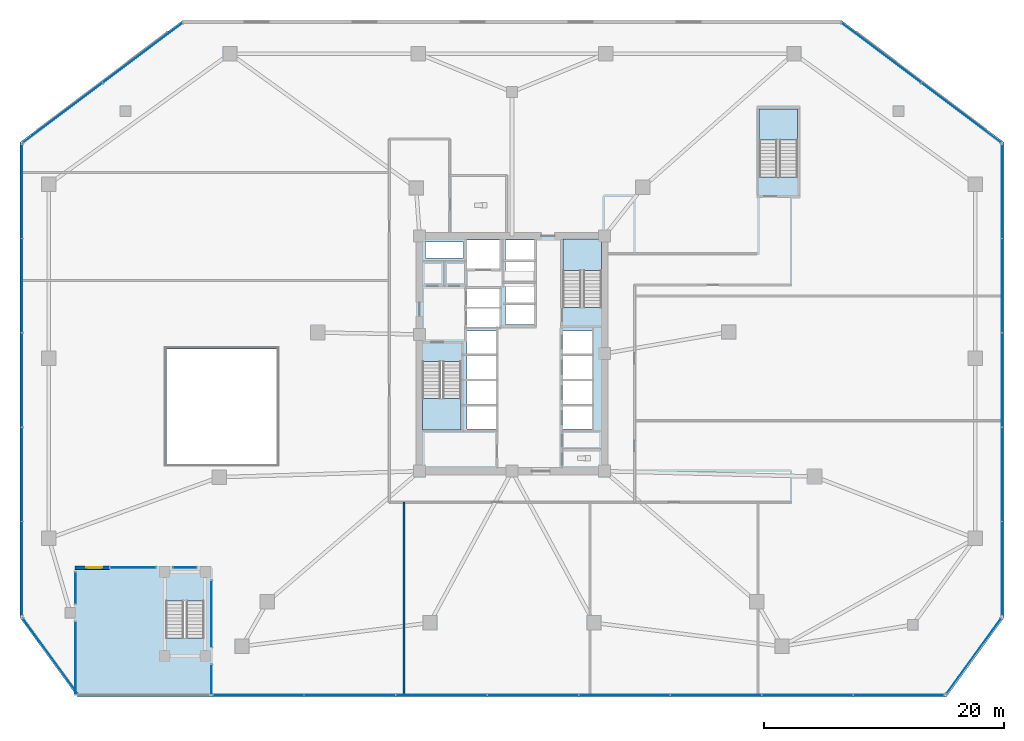
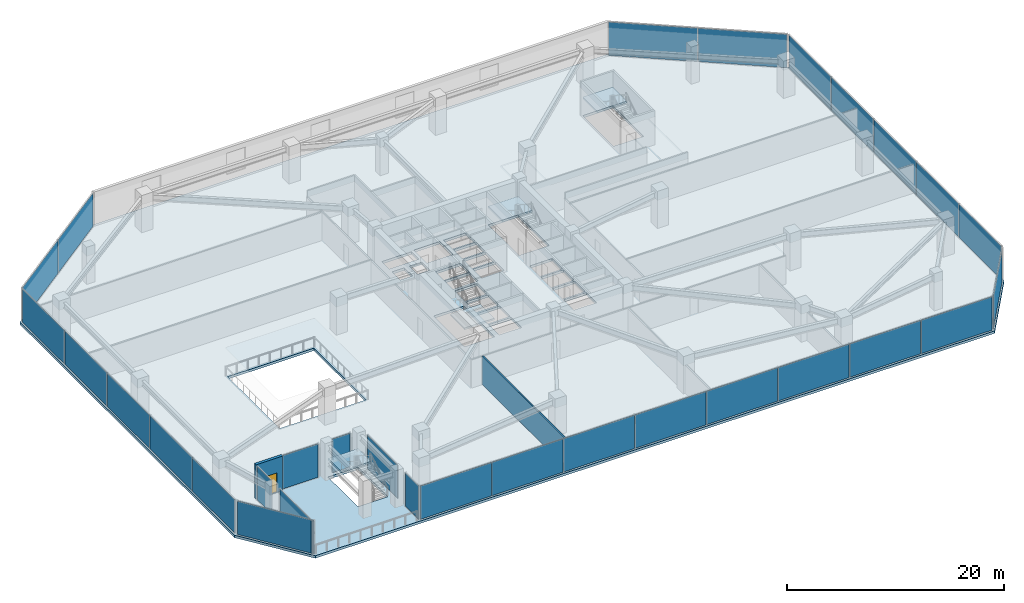
# One storey, part 10 of 22: 30 plates, 5 slabs, 2 walls, 1 door, 1 opening, 17 elements without a shape of their own.
"""IFC4 building model written with IfcOpenShell, lengths in metres."""

from ifc_helpers import new_model, si_unit, direction, frame, frame_2d, origin, origin_2d, place, context, subcontext, project, spatial, polyline, rectangle, outline, extrude, material, layer, layer_set, type_object, element, fill, aggregate, save


model = new_model("IFC4")

# Units and contexts
model_context = context("Model", 3, precision=1e-05, world=origin(), true_north=direction((0.0, 1.0)))
body_context = subcontext(model_context, "Body", "Model", "MODEL_VIEW")
ifc_project = project(units=[si_unit("LENGTHUNIT", "METRE"), si_unit("AREAUNIT", "SQUARE_METRE"), si_unit("VOLUMEUNIT", "CUBIC_METRE"), si_unit("PLANEANGLEUNIT", "RADIAN"), si_unit("MASSUNIT", "GRAM", prefix="KILO")], contexts=[model_context])

# Site, building, storey
site_placement = place(None, origin())
site = spatial("IfcSite", under=ifc_project, at=site_placement, CompositionType="ELEMENT")
building_placement = place(site_placement, origin())
building = spatial("IfcBuilding", under=site, at=building_placement, Name="Savorim Split Tower", CompositionType="ELEMENT")
storey_placement = place(building_placement, frame((0.0, 0.0, 17.60009765625)))
storey = spatial("IfcBuildingStorey", under=building, at=storey_placement, Name="L04", CompositionType="ELEMENT", Elevation=17.60009765625)

# Curtain wall, plate
ifc_material_1 = material(Name="Dark Ceramic-Fritted Insulated Glass", Category="glass")
curtain_wall_type = type_object("IfcCurtainWallType", Name="CW-POD-GLZ", PredefinedType="NOTDEFINED", material=ifc_material_1)
curtain_wall_1_placement = place(storey_placement, origin())
curtain_wall_1 = element("IfcCurtainWall", 1, at=curtain_wall_1_placement, inside=storey, type_object=curtain_wall_type, Name="L04 Curtain Wall CW-L04-E01S1", PredefinedType="NOTDEFINED")
ifc_material_2 = material(Name="Low-E Operable Double Glazing", Category="glass")
ifc_layer_1 = layer(ifc_material_2, 0.031982421875)
ifc_layer_set_1 = layer_set([ifc_layer_1], Name="CWP-POD-32")
plate_type = type_object("IfcPlateType", Name="CWP-POD-32", PredefinedType="CURTAIN_PANEL", material=ifc_layer_set_1)
plate_1_placement = place(storey_placement, frame((-36.360107421875, -24.965087890625, 0.06005859375), z_axis=(0.0, 0.0, 1.0), x_axis=(0.0, 1.0, 0.0)))
plate_1 = element("IfcPlate", 2, at=plate_1_placement, type_object=plate_type, Name="CW-01 panel 1.1", PredefinedType="CURTAIN_PANEL", context=body_context, shape_type="SweptSolid", body=[
    extrude(rectangle(XDim=6.050048828125, YDim=0.031982421875, at=origin_2d()), origin(), (0.0, 0.0, 1.0), 3.760009765625),
])
aggregate(curtain_wall_1, [plate_1])

curtain_wall_2_placement = place(storey_placement, origin())
curtain_wall_2 = element("IfcCurtainWall", 3, at=curtain_wall_2_placement, inside=storey, type_object=curtain_wall_type, Name="L04 Curtain Wall CW-L04-E01S2", PredefinedType="NOTDEFINED")
plate_2_placement = place(storey_placement, frame((-36.360107421875, -19.135009765625, 0.06005859375), z_axis=(0.0, 0.0, 1.0), x_axis=(0.0, 1.0, 0.0)))
plate_2 = element("IfcPlate", 4, at=plate_2_placement, type_object=plate_type, Name="CW-01 panel 1.1", PredefinedType="CURTAIN_PANEL", context=body_context, shape_type="SweptSolid", body=[
    extrude(rectangle(XDim=2.64990234375, YDim=0.031982421875, at=origin_2d()), origin(), (0.0, 0.0, 1.0), 3.760009765625),
])
aggregate(curtain_wall_2, [plate_2])

curtain_wall_3_placement = place(storey_placement, origin())
curtain_wall_3 = element("IfcCurtainWall", 5, at=curtain_wall_3_placement, inside=storey, type_object=curtain_wall_type, Name="L04 Curtain Wall CW-L04-E02S1", PredefinedType="NOTDEFINED")
plate_3_placement = place(storey_placement, frame((-31.590087890625, -17.43994140625, 0.06005859375), z_axis=(0.0, 0.0, 1.0), x_axis=(1.0, 0.0, 0.0)))
plate_3 = element("IfcPlate", 6, at=plate_3_placement, type_object=plate_type, Name="CW-01 panel 1.1", PredefinedType="CURTAIN_PANEL", context=body_context, shape_type="SweptSolid", body=[
    extrude(rectangle(XDim=3.800048828125, YDim=0.031982421875, at=origin_2d()), origin(), (0.0, 0.0, 1.0), 3.760009765625),
])
aggregate(curtain_wall_3, [plate_3])

curtain_wall_4_placement = place(storey_placement, origin())
curtain_wall_4 = element("IfcCurtainWall", 7, at=curtain_wall_4_placement, inside=storey, type_object=curtain_wall_type, Name="L04 Curtain Wall CW-L04-E02S2", PredefinedType="NOTDEFINED")
plate_4_placement = place(storey_placement, frame((-27.25, -17.43994140625, 0.06005859375), z_axis=(0.0, 0.0, 1.0), x_axis=(1.0, 0.0, 0.0)))
plate_4 = element("IfcPlate", 8, at=plate_4_placement, type_object=plate_type, Name="CW-01 panel 1.1", PredefinedType="CURTAIN_PANEL", context=body_context, shape_type="SweptSolid", body=[
    extrude(rectangle(XDim=1.919921875, YDim=0.031982421875, at=origin_2d()), origin(), (0.0, 0.0, 1.0), 3.760009765625),
])
aggregate(curtain_wall_4, [plate_4])

curtain_wall_5_placement = place(storey_placement, origin())
curtain_wall_5 = element("IfcCurtainWall", 9, at=curtain_wall_5_placement, inside=storey, type_object=curtain_wall_type, Name="L04 Curtain Wall CW-L04-E03S1", PredefinedType="NOTDEFINED")
plate_5_placement = place(storey_placement, frame((-25.0400390625, -21.300048828125, 0.06005859375), z_axis=(0.0, 0.0, 1.0), x_axis=(0.0, -1.0, 0.0)))
plate_5 = element("IfcPlate", 10, at=plate_5_placement, type_object=plate_type, Name="CW-01 panel 1.1", PredefinedType="CURTAIN_PANEL", context=body_context, shape_type="SweptSolid", body=[
    extrude(rectangle(XDim=5.52001953125, YDim=0.031982421875, at=origin_2d()), origin(), (0.0, 0.0, 1.0), 3.760009765625),
])
aggregate(curtain_wall_5, [plate_5])

curtain_wall_6_placement = place(storey_placement, origin())
curtain_wall_6 = element("IfcCurtainWall", 11, at=curtain_wall_6_placement, inside=storey, type_object=curtain_wall_type, Name="L04 Curtain Wall CW-L04-E03S2", PredefinedType="NOTDEFINED")
plate_6_placement = place(storey_placement, frame((-25.0400390625, -26.764892578125, 0.06005859375), z_axis=(0.0, 0.0, 1.0), x_axis=(0.0, -1.0, 0.0)))
plate_6 = element("IfcPlate", 12, at=plate_6_placement, type_object=plate_type, Name="CW-01 panel 1.1", PredefinedType="CURTAIN_PANEL", context=body_context, shape_type="SweptSolid", body=[
    extrude(rectangle(XDim=2.449951171875, YDim=0.031982421875, at=origin_2d()), origin(), (0.0, 0.0, 1.0), 3.760009765625),
])
aggregate(curtain_wall_6, [plate_6])

# Curtain wall, plates
curtain_wall_7_placement = place(storey_placement, origin())
curtain_wall_7 = element("IfcCurtainWall", 13, at=curtain_wall_7_placement, inside=storey, type_object=curtain_wall_type, Name="L04 Curtain Wall CW-L04-E04", PredefinedType="NOTDEFINED")
plate_7_placement = place(storey_placement, frame((-21.1240234375, -28.0400390625, 0.06005859375), z_axis=(0.0, 0.0, 1.0), x_axis=(1.0, 0.0, 0.0)))
plate_7 = element("IfcPlate", 14, at=plate_7_placement, type_object=plate_type, Name="CW-01 panel 1.1", PredefinedType="CURTAIN_PANEL", context=body_context, shape_type="SweptSolid", body=[
    extrude(rectangle(XDim=7.52197265625, YDim=0.031982421875, at=origin_2d()), origin(), (0.0, 0.0, 1.0), 3.760009765625),
])
plate_8_placement = place(storey_placement, frame((-13.5146484375, -28.0400390625, 0.06005859375), z_axis=(0.0, 0.0, 1.0), x_axis=(1.0, 0.0, 0.0)))
plate_8 = element("IfcPlate", 15, at=plate_8_placement, type_object=plate_type, Name="CW-01 panel 2.1", PredefinedType="CURTAIN_PANEL", context=body_context, shape_type="SweptSolid", body=[
    extrude(rectangle(XDim=7.556884765625, YDim=0.031982421875, at=origin_2d()), origin(), (0.0, 0.0, 1.0), 3.760009765625),
])
plate_9_placement = place(storey_placement, frame((-5.8876953125, -28.0400390625, 0.06005859375), z_axis=(0.0, 0.0, 1.0), x_axis=(1.0, 0.0, 0.0)))
plate_9 = element("IfcPlate", 16, at=plate_9_placement, type_object=plate_type, Name="CW-01 panel 3.1", PredefinedType="CURTAIN_PANEL", context=body_context, shape_type="SweptSolid", body=[
    extrude(rectangle(XDim=7.556884765625, YDim=0.031982421875, at=origin_2d()), origin(), (0.0, 0.0, 1.0), 3.760009765625),
])
plate_10_placement = place(storey_placement, frame((1.739013671875, -28.0400390625, 0.06005859375), z_axis=(0.0, 0.0, 1.0), x_axis=(1.0, 0.0, 0.0)))
plate_10 = element("IfcPlate", 17, at=plate_10_placement, type_object=plate_type, Name="CW-01 panel 4.1", PredefinedType="CURTAIN_PANEL", context=body_context, shape_type="SweptSolid", body=[
    extrude(rectangle(XDim=7.556884765625, YDim=0.031982421875, at=origin_2d()), origin(), (0.0, 0.0, 1.0), 3.760009765625),
])
plate_11_placement = place(storey_placement, frame((9.365966796875, -28.0400390625, 0.06005859375), z_axis=(0.0, 0.0, 1.0), x_axis=(1.0, 0.0, 0.0)))
plate_11 = element("IfcPlate", 18, at=plate_11_placement, type_object=plate_type, Name="CW-01 panel 5.1", PredefinedType="CURTAIN_PANEL", context=body_context, shape_type="SweptSolid", body=[
    extrude(rectangle(XDim=7.556884765625, YDim=0.031982421875, at=origin_2d()), origin(), (0.0, 0.0, 1.0), 3.760009765625),
])
plate_12_placement = place(storey_placement, frame((16.992919921875, -28.0400390625, 0.06005859375), z_axis=(0.0, 0.0, 1.0), x_axis=(1.0, 0.0, 0.0)))
plate_12 = element("IfcPlate", 19, at=plate_12_placement, type_object=plate_type, Name="CW-01 panel 6.1", PredefinedType="CURTAIN_PANEL", context=body_context, shape_type="SweptSolid", body=[
    extrude(rectangle(XDim=7.556884765625, YDim=0.031982421875, at=origin_2d()), origin(), (0.0, 0.0, 1.0), 3.760009765625),
])
plate_13_placement = place(storey_placement, frame((24.61962890625, -28.0400390625, 0.06005859375), z_axis=(0.0, 0.0, 1.0), x_axis=(1.0, 0.0, 0.0)))
plate_13 = element("IfcPlate", 20, at=plate_13_placement, type_object=plate_type, Name="CW-01 panel 7.1", PredefinedType="CURTAIN_PANEL", context=body_context, shape_type="SweptSolid", body=[
    extrude(rectangle(XDim=7.556884765625, YDim=0.031982421875, at=origin_2d()), origin(), (0.0, 0.0, 1.0), 3.760009765625),
])
plate_14_placement = place(storey_placement, frame((32.22900390625, -28.0400390625, 0.06005859375), z_axis=(0.0, 0.0, 1.0), x_axis=(1.0, 0.0, 0.0)))
plate_14 = element("IfcPlate", 21, at=plate_14_placement, type_object=plate_type, Name="CW-01 panel 8.1", PredefinedType="CURTAIN_PANEL", context=body_context, shape_type="SweptSolid", body=[
    extrude(rectangle(XDim=7.52197265625, YDim=0.031982421875, at=origin_2d()), origin(), (0.0, 0.0, 1.0), 3.760009765625),
])
aggregate(curtain_wall_7, [plate_7, plate_8, plate_9, plate_10, plate_11, plate_12, plate_13, plate_14])

# Curtain wall, plate
curtain_wall_8_placement = place(storey_placement, origin())
curtain_wall_8 = element("IfcCurtainWall", 22, at=curtain_wall_8_placement, inside=storey, type_object=curtain_wall_type, Name="L04 Curtain Wall CW-L04-E05", PredefinedType="NOTDEFINED")
plate_15_placement = place(storey_placement, frame((38.470703125, -24.805908203125, 0.06005859375), z_axis=(0.0, 0.0, 1.0), x_axis=(0.588176224478, 0.808732792063, 0.0)))
plate_15 = element("IfcPlate", 23, at=plate_15_placement, type_object=plate_type, Name="CW-01 panel 1.1", PredefinedType="CURTAIN_PANEL", context=body_context, shape_type="SweptSolid", body=[
    extrude(rectangle(XDim=7.740966796875, YDim=0.031982421875, at=origin_2d()), origin(), (0.0, 0.0, 1.0), 3.760009765625),
])
aggregate(curtain_wall_8, [plate_15])

# Curtain wall, plates
curtain_wall_9_placement = place(storey_placement, origin())
curtain_wall_9 = element("IfcCurtainWall", 24, at=curtain_wall_9_placement, inside=storey, type_object=curtain_wall_type, Name="L04 Curtain Wall CW-L04-E06", PredefinedType="NOTDEFINED")
plate_16_placement = place(storey_placement, frame((40.840087890625, -17.510498046875, 0.06005859375), z_axis=(0.0, 0.0, 1.0), x_axis=(0.0, 1.0, 0.0)))
plate_16 = element("IfcPlate", 25, at=plate_16_placement, type_object=plate_type, Name="CW-01 panel 1.1", PredefinedType="CURTAIN_PANEL", context=body_context, shape_type="SweptSolid", body=[
    extrude(rectangle(XDim=7.759033203125, YDim=0.031982421875, at=origin_2d()), origin(), (0.0, 0.0, 1.0), 3.760009765625),
])
plate_17_placement = place(storey_placement, frame((40.840087890625, -9.6640625, 0.06005859375), z_axis=(0.0, 0.0, 1.0), x_axis=(0.0, 1.0, 0.0)))
plate_17 = element("IfcPlate", 26, at=plate_17_placement, type_object=plate_type, Name="CW-01 panel 2.1", PredefinedType="CURTAIN_PANEL", context=body_context, shape_type="SweptSolid", body=[
    extrude(rectangle(XDim=7.7939453125, YDim=0.031982421875, at=origin_2d()), origin(), (0.0, 0.0, 1.0), 3.760009765625),
])
plate_18_placement = place(storey_placement, frame((40.840087890625, -1.800048828125, 0.06005859375), z_axis=(0.0, 0.0, 1.0), x_axis=(0.0, 1.0, 0.0)))
plate_18 = element("IfcPlate", 27, at=plate_18_placement, type_object=plate_type, Name="CW-01 panel 3.1", PredefinedType="CURTAIN_PANEL", context=body_context, shape_type="SweptSolid", body=[
    extrude(rectangle(XDim=7.7939453125, YDim=0.031982421875, at=origin_2d()), origin(), (0.0, 0.0, 1.0), 3.760009765625),
])
plate_19_placement = place(storey_placement, frame((40.840087890625, 6.06396484375, 0.06005859375), z_axis=(0.0, 0.0, 1.0), x_axis=(0.0, 1.0, 0.0)))
plate_19 = element("IfcPlate", 28, at=plate_19_placement, type_object=plate_type, Name="CW-01 panel 4.1", PredefinedType="CURTAIN_PANEL", context=body_context, shape_type="SweptSolid", body=[
    extrude(rectangle(XDim=7.7939453125, YDim=0.031982421875, at=origin_2d()), origin(), (0.0, 0.0, 1.0), 3.760009765625),
])
plate_20_placement = place(storey_placement, frame((40.840087890625, 13.910400390625, 0.06005859375), z_axis=(0.0, 0.0, 1.0), x_axis=(0.0, 1.0, 0.0)))
plate_20 = element("IfcPlate", 29, at=plate_20_placement, type_object=plate_type, Name="CW-01 panel 5.1", PredefinedType="CURTAIN_PANEL", context=body_context, shape_type="SweptSolid", body=[
    extrude(rectangle(XDim=7.759033203125, YDim=0.031982421875, at=origin_2d()), origin(), (0.0, 0.0, 1.0), 3.760009765625),
])
aggregate(curtain_wall_9, [plate_16, plate_17, plate_18, plate_19, plate_20])

curtain_wall_10_placement = place(storey_placement, origin())
curtain_wall_10 = element("IfcCurtainWall", 30, at=curtain_wall_10_placement, inside=storey, type_object=curtain_wall_type, Name="L04 Curtain Wall CW-L04-E07", PredefinedType="NOTDEFINED")
plate_21_placement = place(storey_placement, frame((37.43408203125, 20.474609375, 0.06005859375), z_axis=(0.0, 0.0, 1.0), x_axis=(-0.799999999998, 0.600000000002, 0.0)))
plate_21 = element("IfcPlate", 31, at=plate_21_placement, type_object=plate_type, Name="CW-01 panel 1.1", PredefinedType="CURTAIN_PANEL", context=body_context, shape_type="SweptSolid", body=[
    extrude(rectangle(XDim=8.2548828125, YDim=0.031982421875, at=origin_2d()), origin(), (0.0, 0.0, 1.0), 3.760009765625),
])
plate_22_placement = place(storey_placement, frame((30.77392578125, 25.469482421875, 0.06005859375), z_axis=(0.0, 0.0, 1.0), x_axis=(-0.799999999998, 0.600000000002, 0.0)))
plate_22 = element("IfcPlate", 32, at=plate_22_placement, type_object=plate_type, Name="CW-01 panel 2.1", PredefinedType="CURTAIN_PANEL", context=body_context, shape_type="SweptSolid", body=[
    extrude(rectangle(XDim=8.2548828125, YDim=0.031982421875, at=origin_2d()), origin(), (0.0, 0.0, 1.0), 3.760009765625),
])
aggregate(curtain_wall_10, [plate_21, plate_22])

curtain_wall_11_placement = place(storey_placement, origin())
curtain_wall_11 = element("IfcCurtainWall", 33, at=curtain_wall_11_placement, inside=storey, type_object=curtain_wall_type, Name="L04 Curtain Wall CW-L04-E09", PredefinedType="NOTDEFINED")
plate_23_placement = place(storey_placement, frame((-30.77392578125, 25.469482421875, 0.06005859375), z_axis=(0.0, 0.0, 1.0), x_axis=(-0.799999999998, -0.600000000002, 0.0)))
plate_23 = element("IfcPlate", 34, at=plate_23_placement, type_object=plate_type, Name="CW-01 panel 1.1", PredefinedType="CURTAIN_PANEL", context=body_context, shape_type="SweptSolid", body=[
    extrude(rectangle(XDim=8.2548828125, YDim=0.031982421875, at=origin_2d()), origin(), (0.0, 0.0, 1.0), 3.760009765625),
])
plate_24_placement = place(storey_placement, frame((-37.43408203125, 20.474609375, 0.06005859375), z_axis=(0.0, 0.0, 1.0), x_axis=(-0.799999999998, -0.600000000002, 0.0)))
plate_24 = element("IfcPlate", 35, at=plate_24_placement, type_object=plate_type, Name="CW-01 panel 2.1", PredefinedType="CURTAIN_PANEL", context=body_context, shape_type="SweptSolid", body=[
    extrude(rectangle(XDim=8.2548828125, YDim=0.031982421875, at=origin_2d()), origin(), (0.0, 0.0, 1.0), 3.760009765625),
])
aggregate(curtain_wall_11, [plate_23, plate_24])

curtain_wall_12_placement = place(storey_placement, origin())
curtain_wall_12 = element("IfcCurtainWall", 36, at=curtain_wall_12_placement, inside=storey, type_object=curtain_wall_type, Name="L04 Curtain Wall CW-L04-E10", PredefinedType="NOTDEFINED")
plate_25_placement = place(storey_placement, frame((-40.840087890625, 13.910400390625, 0.06005859375), z_axis=(0.0, 0.0, 1.0), x_axis=(0.0, -1.0, 0.0)))
plate_25 = element("IfcPlate", 37, at=plate_25_placement, type_object=plate_type, Name="CW-01 panel 1.1", PredefinedType="CURTAIN_PANEL", context=body_context, shape_type="SweptSolid", body=[
    extrude(rectangle(XDim=7.759033203125, YDim=0.031982421875, at=origin_2d()), origin(), (0.0, 0.0, 1.0), 3.760009765625),
])
plate_26_placement = place(storey_placement, frame((-40.840087890625, 6.06396484375, 0.06005859375), z_axis=(0.0, 0.0, 1.0), x_axis=(0.0, -1.0, 0.0)))
plate_26 = element("IfcPlate", 38, at=plate_26_placement, type_object=plate_type, Name="CW-01 panel 2.1", PredefinedType="CURTAIN_PANEL", context=body_context, shape_type="SweptSolid", body=[
    extrude(rectangle(XDim=7.7939453125, YDim=0.031982421875, at=origin_2d()), origin(), (0.0, 0.0, 1.0), 3.760009765625),
])
plate_27_placement = place(storey_placement, frame((-40.840087890625, -1.800048828125, 0.06005859375), z_axis=(0.0, 0.0, 1.0), x_axis=(0.0, -1.0, 0.0)))
plate_27 = element("IfcPlate", 39, at=plate_27_placement, type_object=plate_type, Name="CW-01 panel 3.1", PredefinedType="CURTAIN_PANEL", context=body_context, shape_type="SweptSolid", body=[
    extrude(rectangle(XDim=7.7939453125, YDim=0.031982421875, at=origin_2d()), origin(), (0.0, 0.0, 1.0), 3.760009765625),
])
plate_28_placement = place(storey_placement, frame((-40.840087890625, -9.6640625, 0.06005859375), z_axis=(0.0, 0.0, 1.0), x_axis=(0.0, -1.0, 0.0)))
plate_28 = element("IfcPlate", 40, at=plate_28_placement, type_object=plate_type, Name="CW-01 panel 4.1", PredefinedType="CURTAIN_PANEL", context=body_context, shape_type="SweptSolid", body=[
    extrude(rectangle(XDim=7.7939453125, YDim=0.031982421875, at=origin_2d()), origin(), (0.0, 0.0, 1.0), 3.760009765625),
])
plate_29_placement = place(storey_placement, frame((-40.840087890625, -17.510498046875, 0.06005859375), z_axis=(0.0, 0.0, 1.0), x_axis=(0.0, -1.0, 0.0)))
plate_29 = element("IfcPlate", 41, at=plate_29_placement, type_object=plate_type, Name="CW-01 panel 5.1", PredefinedType="CURTAIN_PANEL", context=body_context, shape_type="SweptSolid", body=[
    extrude(rectangle(XDim=7.759033203125, YDim=0.031982421875, at=origin_2d()), origin(), (0.0, 0.0, 1.0), 3.760009765625),
])
aggregate(curtain_wall_12, [plate_25, plate_26, plate_27, plate_28, plate_29])

# Curtain wall, plate
curtain_wall_13_placement = place(storey_placement, origin())
curtain_wall_13 = element("IfcCurtainWall", 42, at=curtain_wall_13_placement, inside=storey, type_object=curtain_wall_type, Name="L04 Curtain Wall CW-L04-E11", PredefinedType="NOTDEFINED")
plate_30_placement = place(storey_placement, frame((-38.470703125, -24.805908203125, 0.06005859375), z_axis=(0.0, 0.0, 1.0), x_axis=(0.588176224478, -0.808732792063, 0.0)))
plate_30 = element("IfcPlate", 43, at=plate_30_placement, type_object=plate_type, Name="CW-01 panel 1.1", PredefinedType="CURTAIN_PANEL", context=body_context, shape_type="SweptSolid", body=[
    extrude(rectangle(XDim=7.740966796875, YDim=0.031982421875, at=origin_2d()), origin(), (0.0, 0.0, 1.0), 3.760009765625),
])
aggregate(curtain_wall_13, [plate_30])

# Stair, slab
ifc_material_3 = material(Name="Concrete C50/60", Category="concrete")
stair_type = type_object("IfcStairType", Name="STR-DOG-4200", PredefinedType="HALF_TURN_STAIR", material=ifc_material_3)
stair_1_placement = place(storey_placement, origin())
stair_1 = element("IfcStair", 44, at=stair_1_placement, inside=storey, type_object=stair_type, Name="L04 Core Protected Exit Stair ST-1", PredefinedType="HALF_TURN_STAIR")
ifc_layer_2 = layer(ifc_material_3, 0.199951171875)
ifc_layer_set_2 = layer_set([ifc_layer_2], Name="SLB-LND-200")
slab_type_1 = type_object("IfcSlabType", Name="SLB-LND-200", PredefinedType="LANDING", material=ifc_layer_set_2)
slab_1_placement = place(storey_placement, frame((0.0, 0.0, 1.89990234375)))
slab_1 = element("IfcSlab", 45, at=slab_1_placement, type_object=slab_type_1, Name="ST-1 landing 1", PredefinedType="LANDING", context=body_context, shape_type="SweptSolid", body=[
    extrude(outline(polyline([(-7.449951171875, -3.330078125), (-7.449951171875, -5.949951171875), (-4.25, -5.949951171875), (-4.25, -3.330078125), (-7.449951171875, -3.330078125)])), origin(), (0.0, 0.0, 1.0), 0.199951171875),
])
aggregate(stair_1, [slab_1])

stair_2_placement = place(storey_placement, origin())
stair_2 = element("IfcStair", 46, at=stair_2_placement, inside=storey, type_object=stair_type, Name="L04 Core Protected Exit Stair ST-2", PredefinedType="HALF_TURN_STAIR")
slab_2_placement = place(storey_placement, frame((0.0, 0.0, 1.89990234375)))
slab_2 = element("IfcSlab", 47, at=slab_2_placement, type_object=slab_type_1, Name="ST-2 landing 1", PredefinedType="LANDING", context=body_context, shape_type="SweptSolid", body=[
    extrude(outline(polyline([(7.449951171875, 7.330078125), (7.449951171875, 9.949951171875), (4.25, 9.949951171875), (4.25, 7.330078125), (7.449951171875, 7.330078125)])), origin(), (0.0, 0.0, 1.0), 0.199951171875),
])
aggregate(stair_2, [slab_2])

stair_3_placement = place(storey_placement, origin())
stair_3 = element("IfcStair", 48, at=stair_3_placement, inside=storey, type_object=stair_type, Name="L04 Podium Protected Garden Exit Stair ST-3", PredefinedType="HALF_TURN_STAIR")
slab_3_placement = place(storey_placement, frame((0.0, 0.0, 1.89990234375)))
slab_3 = element("IfcSlab", 49, at=slab_3_placement, type_object=slab_type_1, Name="ST-3 landing 1", PredefinedType="LANDING", context=body_context, shape_type="SweptSolid", body=[
    extrude(outline(polyline([(23.800048828125, 18.179931640625), (23.800048828125, 20.800048828125), (20.60009765625, 20.800048828125), (20.60009765625, 18.179931640625), (23.800048828125, 18.179931640625)])), origin(), (0.0, 0.0, 1.0), 0.199951171875),
])
aggregate(stair_3, [slab_3])

stair_4_placement = place(storey_placement, origin())
stair_4 = element("IfcStair", 50, at=stair_4_placement, inside=storey, type_object=stair_type, Name="L04 Exterior Stepped Public Garden Stair ST-GDN", PredefinedType="HALF_TURN_STAIR")
slab_4_placement = place(storey_placement, frame((0.0, 0.0, 1.89990234375)))
slab_4 = element("IfcSlab", 51, at=slab_4_placement, type_object=slab_type_1, Name="ST-GDN landing 1", PredefinedType="LANDING", context=body_context, shape_type="SweptSolid", body=[
    extrude(outline(polyline([(-25.64990234375, -20.219970703125), (-25.64990234375, -17.800048828125), (-28.85009765625, -17.800048828125), (-28.85009765625, -20.219970703125), (-25.64990234375, -20.219970703125)])), origin(), (0.0, 0.0, 1.0), 0.199951171875),
])
aggregate(stair_4, [slab_4])

# Slab
ifc_layer_3 = layer(ifc_material_3, 0.280029296875)
ifc_layer_set_3 = layer_set([ifc_layer_3], Name="SLB-POD-280")
slab_type_2 = type_object("IfcSlabType", Name="SLB-POD-280", PredefinedType="FLOOR", material=ifc_layer_set_3)
slab_5_placement = place(storey_placement, frame((0.0, 0.0, -0.280029296875)))
element("IfcSlab", 52, at=slab_5_placement, inside=storey, type_object=slab_type_2, Name="L04 Podium Structural Floor Slab", PredefinedType="FLOOR", context=body_context, shape_type="SweptSolid", body=[
    extrude(outline(polyline([(-36.199951171875, -28.199951171875), (36.199951171875, -28.199951171875), (41.0, -21.60009765625), (41.0, 18.0), (27.39990234375, 28.199951171875), (-27.39990234375, 28.199951171875), (-41.0, 18.0), (-41.0, -21.60009765625), (-36.199951171875, -28.199951171875)]), holes=[polyline([(-7.449951171875, -0.25390625), (-7.449951171875, -5.949951171875), (-4.25, -5.949951171875), (-4.25, -0.25390625), (-7.449951171875, -0.25390625)]), polyline([(7.449951171875, 4.25390625), (7.449951171875, 9.949951171875), (4.25, 9.949951171875), (4.25, 4.25390625), (7.449951171875, 4.25390625)]), polyline([(23.800048828125, 15.10400390625), (23.800048828125, 20.800048828125), (20.60009765625, 20.800048828125), (20.60009765625, 15.10400390625), (23.800048828125, 15.10400390625)]), polyline([(-25.64990234375, -23.2958984375), (-25.64990234375, -17.800048828125), (-28.85009765625, -17.800048828125), (-28.85009765625, -23.2958984375), (-25.64990234375, -23.2958984375)]), polyline([(4.25, -5.89990234375), (6.64990234375, -5.89990234375), (6.64990234375, -4.0), (4.25, -4.0), (4.25, -5.89990234375)]), polyline([(4.25, -3.800048828125), (6.64990234375, -3.800048828125), (6.64990234375, -1.89990234375), (4.25, -1.89990234375), (4.25, -3.800048828125)]), polyline([(4.25, -1.699951171875), (6.64990234375, -1.699951171875), (6.64990234375, 0.199951171875), (4.25, 0.199951171875), (4.25, -1.699951171875)]), polyline([(4.25, 0.39990234375), (6.64990234375, 0.39990234375), (6.64990234375, 2.300048828125), (4.25, 2.300048828125), (4.25, 0.39990234375)]), polyline([(-3.75, -5.89990234375), (-1.35009765625, -5.89990234375), (-1.35009765625, -4.0), (-3.75, -4.0), (-3.75, -5.89990234375)]), polyline([(-3.75, -3.800048828125), (-1.35009765625, -3.800048828125), (-1.35009765625, -1.89990234375), (-3.75, -1.89990234375), (-3.75, -3.800048828125)]), polyline([(-3.75, -1.699951171875), (-1.35009765625, -1.699951171875), (-1.35009765625, 0.199951171875), (-3.75, 0.199951171875), (-3.75, -1.699951171875)]), polyline([(-3.75, 0.39990234375), (-1.35009765625, 0.39990234375), (-1.35009765625, 2.300048828125), (-3.75, 2.300048828125), (-3.75, 0.39990234375)]), polyline([(-0.550048828125, 2.830078125), (1.85009765625, 2.830078125), (1.85009765625, 4.469970703125), (-0.550048828125, 4.469970703125), (-0.550048828125, 2.830078125)]), polyline([(-0.550048828125, 4.6298828125), (1.85009765625, 4.6298828125), (1.85009765625, 6.27001953125), (-0.550048828125, 6.27001953125), (-0.550048828125, 4.6298828125)]), polyline([(-0.550048828125, 6.429931640625), (1.85009765625, 6.429931640625), (1.85009765625, 8.070068359375), (-0.550048828125, 8.070068359375), (-0.550048828125, 6.429931640625)]), polyline([(-0.550048828125, 8.22998046875), (1.85009765625, 8.22998046875), (1.85009765625, 9.8701171875), (-0.550048828125, 9.8701171875), (-0.550048828125, 8.22998046875)]), polyline([(-3.75, 2.60009765625), (-1.050048828125, 2.60009765625), (-1.050048828125, 4.159912109375), (-3.75, 4.159912109375), (-3.75, 2.60009765625)]), polyline([(-3.75, 4.280029296875), (-1.050048828125, 4.280029296875), (-1.050048828125, 5.840087890625), (-3.75, 5.840087890625), (-3.75, 4.280029296875)]), polyline([(-3.75, 7.449951171875), (-0.949951171875, 7.449951171875), (-0.949951171875, 9.85009765625), (-3.75, 9.85009765625), (-3.75, 7.449951171875)]), polyline([(-7.219970703125, 6.320068359375), (-5.919921875, 6.320068359375), (-5.919921875, 7.820068359375), (-7.219970703125, 7.820068359375), (-7.219970703125, 6.320068359375)]), polyline([(-5.3798828125, 6.320068359375), (-4.050048828125, 6.320068359375), (-4.050048828125, 7.820068359375), (-5.3798828125, 7.820068359375), (-5.3798828125, 6.320068359375)]), polyline([(-7.219970703125, 8.360107421875), (-4.050048828125, 8.360107421875), (-4.050048828125, 9.719970703125), (-7.219970703125, 9.719970703125), (-7.219970703125, 8.360107421875)]), polyline([(-28.800048828125, -8.800048828125), (-19.60009765625, -8.800048828125), (-19.60009765625, 0.800048828125), (-28.800048828125, 0.800048828125), (-28.800048828125, -8.800048828125)])]), origin(), (0.0, 0.0, 1.0), 0.280029296875),
])

# Wall, opening, door
ifc_layer_4 = layer(ifc_material_3, 0.300048828125)
ifc_layer_set_4 = layer_set([ifc_layer_4], Name="WAL-EXT-POD300")
wall_type_1 = type_object("IfcWallType", Name="WAL-EXT-POD300", PredefinedType="SOLIDWALL", material=ifc_layer_set_4)
wall_1_placement = place(storey_placement, frame((-33.56005859375, -17.43994140625, 0.0), z_axis=(0.0, 0.0, 1.0), x_axis=(-1.0, 0.0, 0.0)))
wall_1 = element("IfcWall", 53, at=wall_1_placement, inside=storey, type_object=wall_type_1, Name="L04 Stepped Garden Stair Court Door Pier", PredefinedType="SOLIDWALL", context=body_context, shape_type="SweptSolid", body=[
    extrude(rectangle(XDim=2.83984375, YDim=0.300048828125, at=frame_2d((1.419921875, 0.0))), origin(), (0.0, 0.0, 1.0), 3.8798828125),
])
opening_placement = place(wall_1_placement, frame((0.60009765625, 0.0, 0.0)))
opening = element("IfcOpeningElement", 54, at=opening_placement, cuts=wall_1, Name="Opening DG-01", PredefinedType="OPENING", context=body_context, shape_type="SweptSolid", body=[
    extrude(rectangle(XDim=1.300048828125, YDim=2.199951171875, at=frame_2d((0.64990234375, 1.10009765625))), frame((0.0, 0.159912109375, 0.0), z_axis=(0.0, -1.0, 0.0), x_axis=(1.0, 0.0, 0.0)), (0.0, 0.0, 1.0), 0.320068359375),
])
ifc_material_4 = material(Name="Charcoal Anodised Aluminium", Category="aluminium")
door_type = type_object("IfcDoorType", Name="DOR-GDN-1300", OperationType="NOTDEFINED", PredefinedType="DOOR", material=ifc_material_4)
door_placement = place(opening_placement, origin())
door = element("IfcDoor", 55, at=door_placement, inside=storey, type_object=door_type, Name="DOR-L04-GDNCRT - L04 Exterior Garden Stair Terrace Door", OperationType="SINGLE_SWING_RIGHT", OverallHeight=2.199951171875, OverallWidth=1.300048828125, PredefinedType="DOOR", context=body_context, shape_type="SweptSolid", body=[
    extrude(rectangle(XDim=1.300048828125, YDim=2.199951171875, at=frame_2d((0.64990234375, 1.10009765625))), frame((0.0, 0.02490234375, 0.0), z_axis=(0.0, -1.0, 0.0), x_axis=(1.0, 0.0, 0.0)), (0.0, 0.0, 1.0), 0.050048828125),
])
fill(opening, door)

# Wall
ifc_material_5 = material(Name="Acoustic Gypsum Partition Board")
ifc_layer_5 = layer(ifc_material_5, 0.14990234375)
ifc_layer_set_5 = layer_set([ifc_layer_5], Name="WAL-PAR-150")
wall_type_2 = type_object("IfcWallType", Name="WAL-PAR-150", PredefinedType="PARTITIONING", material=ifc_layer_set_5)
wall_2_placement = place(storey_placement, frame((-9.0, -28.02001953125, 0.0), z_axis=(0.0, 0.0, 1.0), x_axis=(0.0, 1.0, 0.0)))
element("IfcWall", 56, at=wall_2_placement, inside=storey, type_object=wall_type_2, Name="L04 Partition W-L04-PD1", PredefinedType="PARTITIONING", context=body_context, shape_type="SweptSolid", body=[
    extrude(rectangle(XDim=16.0400390625, YDim=0.14990234375, at=frame_2d((8.02001953125, 0.0))), origin(), (0.0, 0.0, 1.0), 3.15478515625),
])

save(model, "model.ifc")
